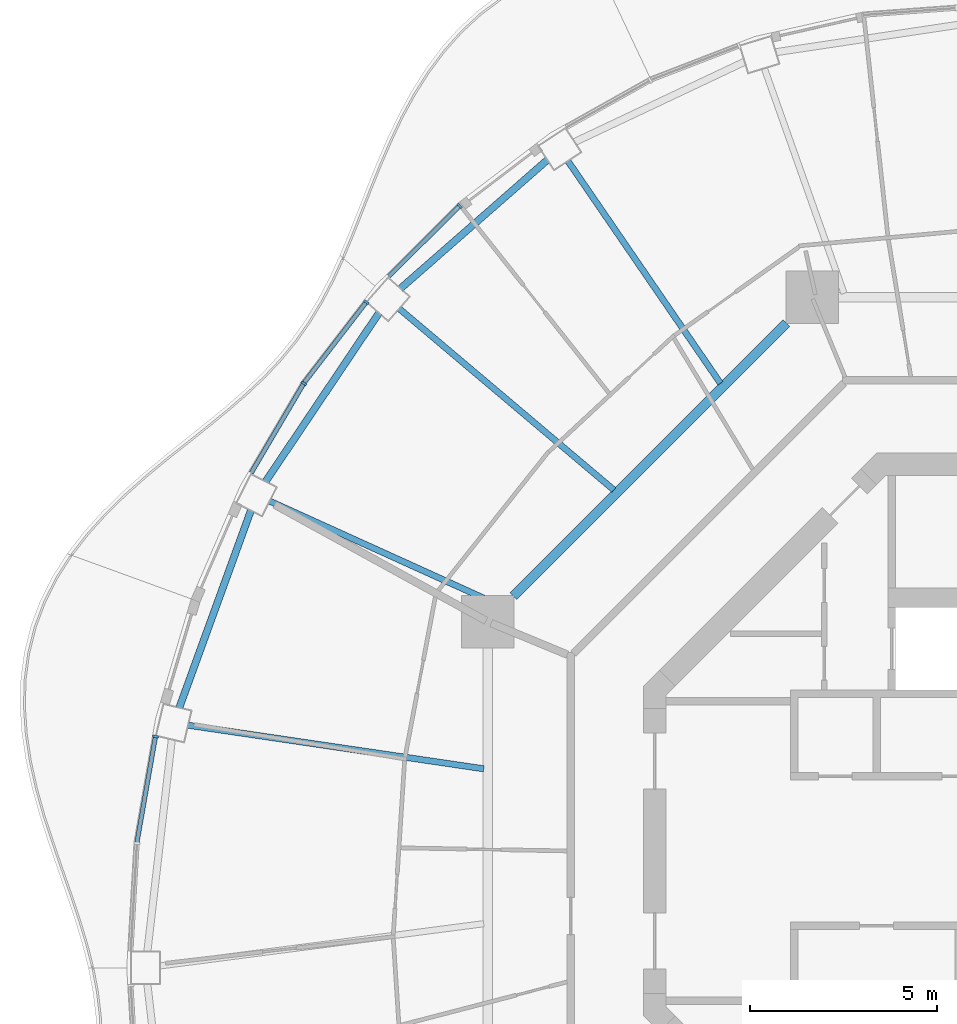
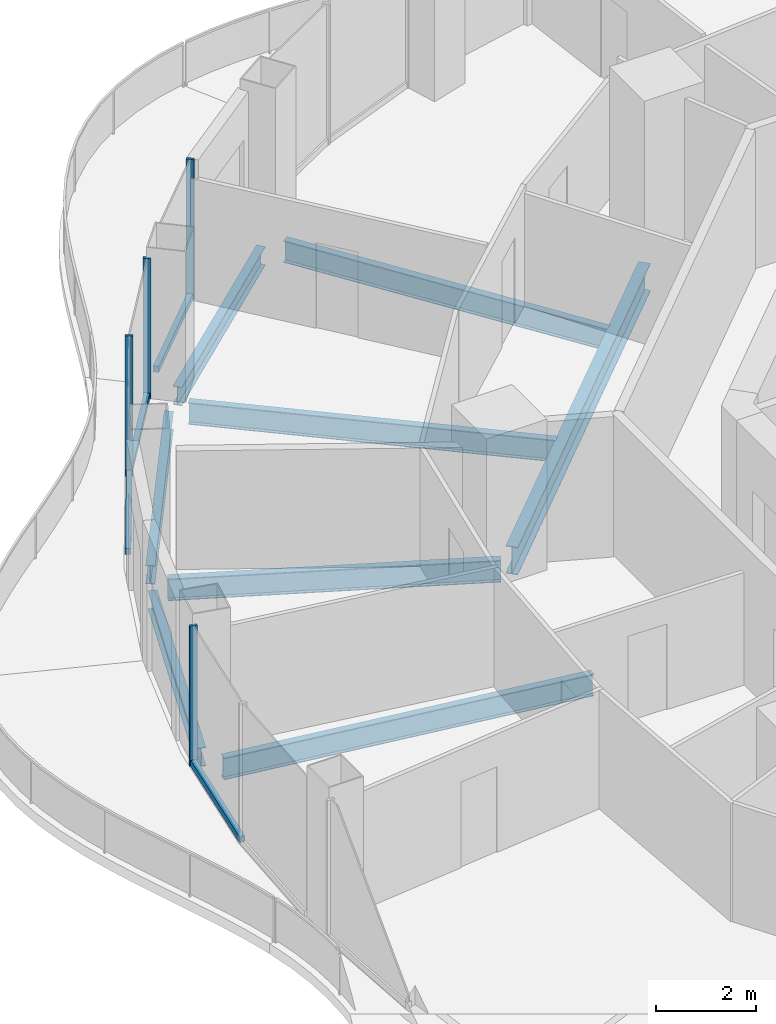
# One storey, part 5 of 17: 8 beams, 8 members, 4 elements without a shape of their own.
"""IFC4 building model written with IfcOpenShell, lengths in metres."""

from ifc_helpers import new_model, si_unit, direction, frame, origin, origin_2d, place, context, subcontext, project, spatial, rectangle, i_section, extrude, material, layer, layer_set, material_profile, profile_set, type_object, element, aggregate, save


model = new_model("IFC4")

# Units and contexts
model_context = context("Model", 3, precision=1e-05, world=origin(), true_north=direction((0.0, 1.0)))
body_context = subcontext(model_context, "Body", "Model", "MODEL_VIEW")
ifc_project = project(units=[si_unit("LENGTHUNIT", "METRE"), si_unit("AREAUNIT", "SQUARE_METRE"), si_unit("VOLUMEUNIT", "CUBIC_METRE"), si_unit("PLANEANGLEUNIT", "RADIAN"), si_unit("MASSUNIT", "GRAM", prefix="KILO")], contexts=[model_context])

# Site, building, storey
site_placement = place(None, origin())
site = spatial("IfcSite", under=ifc_project, at=site_placement, CompositionType="ELEMENT")
building_placement = place(site_placement, origin())
building = spatial("IfcBuilding", under=site, at=building_placement, Name="Nagisa Residences", CompositionType="ELEMENT")
storey_placement = place(building_placement, frame((0.0, 0.0, 265.89990234375)))
storey = spatial("IfcBuildingStorey", under=building, at=storey_placement, Name="L67", CompositionType="ELEMENT", Elevation=265.89990234375)

# Curtain wall, member
ifc_material_1 = material(Name="Concrete-coloured aluminium curtain wall system", Category="concrete")
ifc_layer = layer(ifc_material_1, 0.159912109375)
ifc_layer_set = layer_set([ifc_layer], Name="CW1 CURTAIN WALL")
curtain_wall_type = type_object("IfcCurtainWallType", Name="CW1 CURTAIN WALL", PredefinedType="NOTDEFINED", material=ifc_layer_set)
curtain_wall_1_placement = place(storey_placement, origin())
curtain_wall_1 = element("IfcCurtainWall", 1, at=curtain_wall_1_placement, inside=storey, type_object=curtain_wall_type, Name="cw:CW1:L67:17", PredefinedType="NOTDEFINED")
ifc_material_2 = material(Name="Concrete-coloured aluminium", Category="concrete")
ifc_material_profile_1 = material_profile(ifc_material_2, rectangle(XDim=0.159912109375, YDim=0.06005859375, at=origin_2d()), Name="CW1 MULLION 160x60")
ifc_profile_set_1 = profile_set([ifc_material_profile_1], Name="Concrete-coloured aluminium")
member_type_1 = type_object("IfcMemberType", Name="CW1 MULLION 160x60", PredefinedType="MULLION", material=ifc_profile_set_1)
member_1_placement = place(storey_placement, frame((-15.534912109375, 17.225341796875, 0.0), z_axis=(0.0, 0.0, 1.0), x_axis=(0.706376885714, -0.707835924016, 0.0)))
member_1 = element("IfcMember", 2, at=member_1_placement, type_object=member_type_1, Name="CW1 mullion", PredefinedType="MULLION", context=body_context, shape_type="SweptSolid", body=[
    extrude(rectangle(XDim=0.159912109375, YDim=0.06005859375, at=origin_2d()), origin(), (0.0, 0.0, 1.0), 3.440185546875),
])

curtain_wall_2_placement = place(storey_placement, origin())
curtain_wall_2 = element("IfcCurtainWall", 3, at=curtain_wall_2_placement, inside=storey, type_object=curtain_wall_type, Name="cw:CW1:L67:18", PredefinedType="NOTDEFINED")
member_2_placement = place(storey_placement, frame((-18.0244140625, 14.654296875, 0.0), z_axis=(0.0, 0.0, 1.0), x_axis=(0.792070340816, -0.610429828235, 0.0)))
member_2 = element("IfcMember", 4, at=member_2_placement, type_object=member_type_1, Name="CW1 mullion", PredefinedType="MULLION", context=body_context, shape_type="SweptSolid", body=[
    extrude(rectangle(XDim=0.159912109375, YDim=0.06005859375, at=origin_2d()), origin(), (0.0, 0.0, 1.0), 3.440185546875),
])

curtain_wall_3_placement = place(storey_placement, origin())
curtain_wall_3 = element("IfcCurtainWall", 5, at=curtain_wall_3_placement, inside=storey, type_object=curtain_wall_type, Name="cw:CW1:L67:19", PredefinedType="NOTDEFINED")
member_3_placement = place(storey_placement, frame((-19.69189453125, 12.4853515625, 0.0), z_axis=(0.0, 0.0, 1.0), x_axis=(0.862328898214, -0.506348567002, 0.0)))
member_3 = element("IfcMember", 6, at=member_3_placement, type_object=member_type_1, Name="CW1 mullion", PredefinedType="MULLION", context=body_context, shape_type="SweptSolid", body=[
    extrude(rectangle(XDim=0.159912109375, YDim=0.06005859375, at=origin_2d()), origin(), (0.0, 0.0, 1.0), 3.440185546875),
])

curtain_wall_4_placement = place(storey_placement, origin())
curtain_wall_4 = element("IfcCurtainWall", 7, at=curtain_wall_4_placement, inside=storey, type_object=curtain_wall_type, Name="cw:CW1:L67:22", PredefinedType="NOTDEFINED")
member_4_placement = place(storey_placement, frame((-23.653076171875, 3.0576171875, 0.0), z_axis=(0.0, 0.0, 1.0), x_axis=(0.985063604377, -0.172190868898, 0.0)))
member_4 = element("IfcMember", 8, at=member_4_placement, type_object=member_type_1, Name="CW1 mullion", PredefinedType="MULLION", context=body_context, shape_type="SweptSolid", body=[
    extrude(rectangle(XDim=0.159912109375, YDim=0.06005859375, at=origin_2d()), origin(), (0.0, 0.0, 1.0), 3.440185546875),
])

# Member
ifc_material_3 = material(Name="Concrete-coloured aluminium", Category="concrete")
ifc_material_profile_2 = material_profile(ifc_material_3, rectangle(XDim=0.1201171875, YDim=0.14990234375, at=origin_2d()), Name="CW1 TRANSOM 120x150")
ifc_profile_set_2 = profile_set([ifc_material_profile_2], Name="Concrete-coloured aluminium")
member_type_2 = type_object("IfcMemberType", Name="CW1 TRANSOM 120x150", PredefinedType="USERDEFINED", material=ifc_profile_set_2)
member_5_placement = place(storey_placement, frame((-15.513671875, 17.24658203125, 0.0751953125), z_axis=(-0.707831739508, -0.706381078841, 0.0), x_axis=(0.706381078841, -0.707831739508, 0.0)))
member_5 = element("IfcMember", 9, at=member_5_placement, type_object=member_type_2, Name="CW1 transom", ObjectType="TRANSOM", PredefinedType="USERDEFINED", context=body_context, shape_type="SweptSolid", body=[
    extrude(rectangle(XDim=0.1201171875, YDim=0.14990234375, at=origin_2d()), origin(), (0.0, 0.0, 1.0), 2.692626953125),
])

aggregate(curtain_wall_1, [member_1, member_5])

member_6_placement = place(storey_placement, frame((-18.006103515625, 14.677978515625, 0.0751953125), z_axis=(-0.610432336622, -0.792068407656, 0.0), x_axis=(0.792068407656, -0.610432336622, 0.0)))
member_6 = element("IfcMember", 10, at=member_6_placement, type_object=member_type_2, Name="CW1 transom", ObjectType="TRANSOM", PredefinedType="USERDEFINED", context=body_context, shape_type="SweptSolid", body=[
    extrude(rectangle(XDim=0.1201171875, YDim=0.14990234375, at=origin_2d()), origin(), (0.0, 0.0, 1.0), 2.74609375),
])

aggregate(curtain_wall_2, [member_2, member_6])

member_7_placement = place(storey_placement, frame((-19.6767578125, 12.51123046875, 0.0751953125), z_axis=(-0.506371364425, -0.862315511452, 0.0), x_axis=(0.862315511452, -0.506371364425, 0.0)))
member_7 = element("IfcMember", 11, at=member_7_placement, type_object=member_type_2, Name="CW1 transom", ObjectType="TRANSOM", PredefinedType="USERDEFINED", context=body_context, shape_type="SweptSolid", body=[
    extrude(rectangle(XDim=0.1201171875, YDim=0.14990234375, at=origin_2d()), origin(), (0.0, 0.0, 1.0), 2.79638671875),
])

aggregate(curtain_wall_3, [member_3, member_7])

member_8_placement = place(storey_placement, frame((-23.64794921875, 3.087158203125, 0.0751953125), z_axis=(-0.172196679668, -0.985062588626, 0.0), x_axis=(0.985062588626, -0.172196679668, 0.0)))
member_8 = element("IfcMember", 12, at=member_8_placement, type_object=member_type_2, Name="CW1 transom", ObjectType="TRANSOM", PredefinedType="USERDEFINED", context=body_context, shape_type="SweptSolid", body=[
    extrude(rectangle(XDim=0.1201171875, YDim=0.14990234375, at=origin_2d()), origin(), (0.0, 0.0, 1.0), 2.90234375),
])

aggregate(curtain_wall_4, [member_4, member_8])

# Beams
ifc_material_4 = material(Name="Steel ASTM A572 Gr 50", Category="steel")
ifc_material_profile_3 = material_profile(ifc_material_4, i_section(OverallWidth=0.2529296875, OverallDepth=0.677978515625, WebThickness=0.01171875, FlangeThickness=0.016357421875, at=origin_2d()), Name="W690x125")
ifc_profile_set_3 = profile_set([ifc_material_profile_3], Name="Steel ASTM A572 Gr 50")
beam_type_1 = type_object("IfcBeamType", Name="Inner ring beam W690x125", PredefinedType="BEAM", material=ifc_profile_set_3)
beam_1_placement = place(storey_placement, frame((-6.808837890625, 14.09619140625, -0.598876953125), z_axis=(-0.707106781187, -0.707106781187, 0.0), x_axis=(0.707106781187, -0.707106781187, 0.0)))
element("IfcBeam", 13, at=beam_1_placement, inside=storey, type_object=beam_type_1, Name="beam:L67:ib3", PredefinedType="BEAM", context=body_context, shape_type="SweptSolid", body=[
    extrude(i_section(OverallWidth=0.2529296875, OverallDepth=0.677978515625, WebThickness=0.01171875, FlangeThickness=0.016357421875, at=origin_2d()), origin(), (0.0, 0.0, 1.0), 10.305908203125),
])
ifc_material_5 = material(Name="Steel ASTM A572 Gr 50", Category="steel")
ifc_material_profile_4 = material_profile(ifc_material_5, i_section(OverallWidth=0.18994140625, OverallDepth=0.45703125, WebThickness=0.009033203125, FlangeThickness=0.014404296875, at=origin_2d()), Name="W460x74")
ifc_profile_set_4 = profile_set([ifc_material_profile_4], Name="Steel ASTM A572 Gr 50")
beam_type_2 = type_object("IfcBeamType", Name="Perimeter ring beam W460x74", PredefinedType="BEAM", material=ifc_profile_set_4)
beam_2_placement = place(storey_placement, frame((-13.186767578125, 18.45458984375, -0.48828125), z_axis=(-0.752365189148, -0.658746250204, 0.0), x_axis=(0.658746250204, -0.752365189148, 0.0)))
element("IfcBeam", 14, at=beam_2_placement, inside=storey, type_object=beam_type_2, Name="beam:L67:pb09", PredefinedType="BEAM", context=body_context, shape_type="SweptSolid", body=[
    extrude(i_section(OverallWidth=0.18994140625, OverallDepth=0.45703125, WebThickness=0.009033203125, FlangeThickness=0.014404296875, at=origin_2d()), origin(), (0.0, 0.0, 1.0), 5.220947265625),
])
beam_3_placement = place(storey_placement, frame((-17.683349609375, 14.36962890625, -0.48828125), z_axis=(-0.558035477156, -0.829817092036, 0.0), x_axis=(0.829817092036, -0.558035477156, 0.0)))
element("IfcBeam", 15, at=beam_3_placement, inside=storey, type_object=beam_type_2, Name="beam:L67:pb10", PredefinedType="BEAM", context=body_context, shape_type="SweptSolid", body=[
    extrude(i_section(OverallWidth=0.18994140625, OverallDepth=0.45703125, WebThickness=0.009033203125, FlangeThickness=0.014404296875, at=origin_2d()), origin(), (0.0, 0.0, 1.0), 5.431884765625),
])
beam_4_placement = place(storey_placement, frame((-21.104248046875, 9.094970703125, -0.48828125), z_axis=(-0.341250304478, -0.9399724622, 0.0), x_axis=(0.9399724622, -0.341250304478, 0.0)))
element("IfcBeam", 16, at=beam_4_placement, inside=storey, type_object=beam_type_2, Name="beam:L67:pb11", PredefinedType="BEAM", context=body_context, shape_type="SweptSolid", body=[
    extrude(i_section(OverallWidth=0.18994140625, OverallDepth=0.45703125, WebThickness=0.009033203125, FlangeThickness=0.014404296875, at=origin_2d()), origin(), (0.0, 0.0, 1.0), 5.609619140625),
])
ifc_material_6 = material(Name="Steel ASTM A572 Gr 50", Category="steel")
ifc_material_profile_5 = material_profile(ifc_material_6, i_section(OverallWidth=0.166015625, OverallDepth=0.534912109375, WebThickness=0.01025390625, FlangeThickness=0.0166015625, at=origin_2d()), Name="W530x85")
ifc_profile_set_5 = profile_set([ifc_material_profile_5], Name="Steel ASTM A572 Gr 50")
beam_type_3 = type_object("IfcBeamType", Name="Radial beam W530x85", PredefinedType="BEAM", material=ifc_profile_set_5)
beam_5_placement = place(storey_placement, frame((-12.64501953125, 18.427490234375, -0.52734375), z_axis=(0.565802292405, -0.824540942531, 0.0), x_axis=(0.824540942531, 0.565802292405, 0.0)))
element("IfcBeam", 17, at=beam_5_placement, inside=storey, type_object=beam_type_3, Name="beam:L67:rb09", PredefinedType="BEAM", context=body_context, shape_type="SweptSolid", body=[
    extrude(i_section(OverallWidth=0.166015625, OverallDepth=0.534912109375, WebThickness=0.01025390625, FlangeThickness=0.0166015625, at=origin_2d()), origin(), (0.0, 0.0, 1.0), 7.204345703125),
])
beam_6_placement = place(storey_placement, frame((-17.15087890625, 14.484375, -0.52734375), z_axis=(0.764006403763, -0.645208660054, 0.0), x_axis=(0.645208660054, 0.764006403763, 0.0)))
element("IfcBeam", 18, at=beam_6_placement, inside=storey, type_object=beam_type_3, Name="beam:L67:rb10", PredefinedType="BEAM", context=body_context, shape_type="SweptSolid", body=[
    extrude(i_section(OverallWidth=0.166015625, OverallDepth=0.534912109375, WebThickness=0.01025390625, FlangeThickness=0.0166015625, at=origin_2d()), origin(), (0.0, 0.0, 1.0), 7.50732421875),
])
beam_7_placement = place(storey_placement, frame((-20.610107421875, 9.34521484375, -0.52734375), z_axis=(0.910751667619, -0.412954476824, 0.0), x_axis=(0.412954476824, 0.910751667619, 0.0)))
element("IfcBeam", 19, at=beam_7_placement, inside=storey, type_object=beam_type_3, Name="beam:L67:rb11", PredefinedType="BEAM", context=body_context, shape_type="SweptSolid", body=[
    extrude(i_section(OverallWidth=0.166015625, OverallDepth=0.534912109375, WebThickness=0.01025390625, FlangeThickness=0.0166015625, at=origin_2d()), origin(), (0.0, 0.0, 1.0), 6.721923828125),
])
beam_8_placement = place(storey_placement, frame((-22.788818359375, 3.359375, -0.52734375), z_axis=(0.989309244243, -0.145832846968, 0.0), x_axis=(0.145832846968, 0.989309244243, 0.0)))
element("IfcBeam", 20, at=beam_8_placement, inside=storey, type_object=beam_type_3, Name="beam:L67:rb12", PredefinedType="BEAM", context=body_context, shape_type="SweptSolid", body=[
    extrude(i_section(OverallWidth=0.166015625, OverallDepth=0.534912109375, WebThickness=0.01025390625, FlangeThickness=0.0166015625, at=origin_2d()), origin(), (0.0, 0.0, 1.0), 7.985595703125),
])

save(model, "model.ifc")
